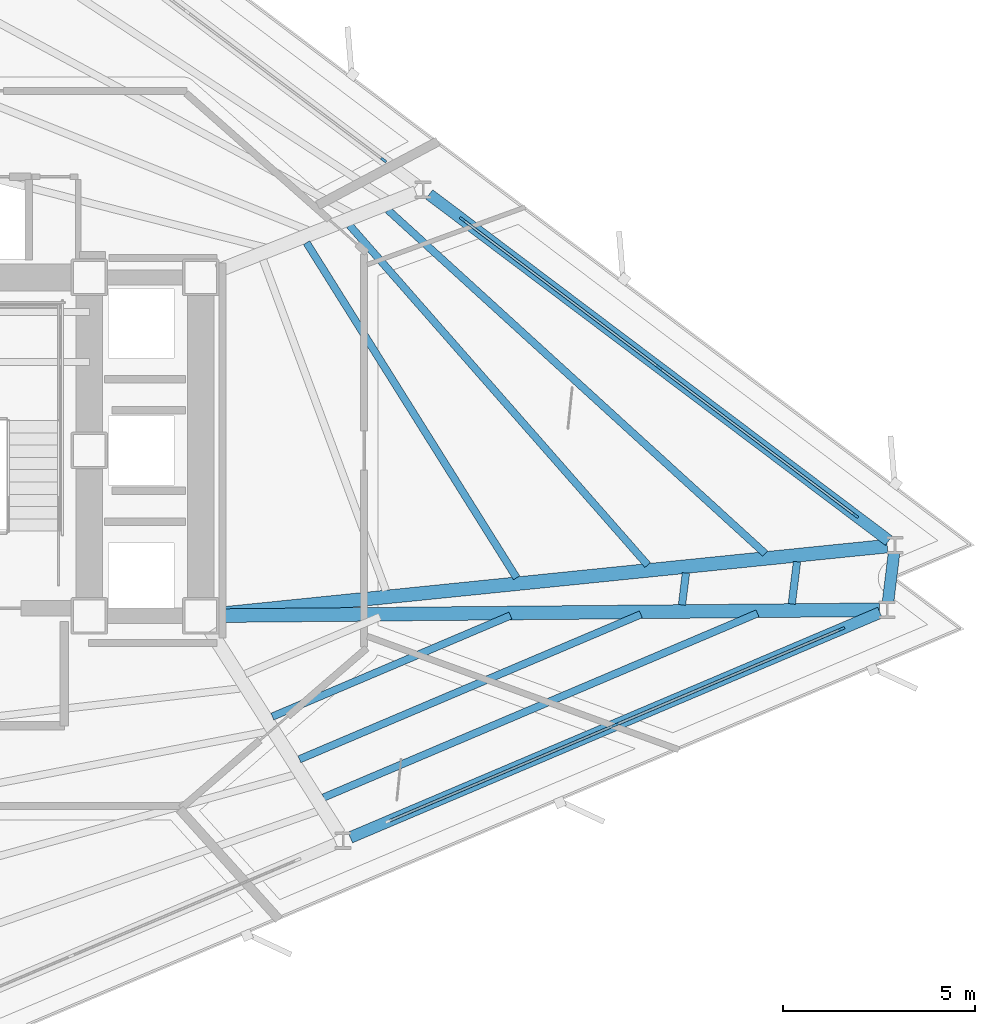
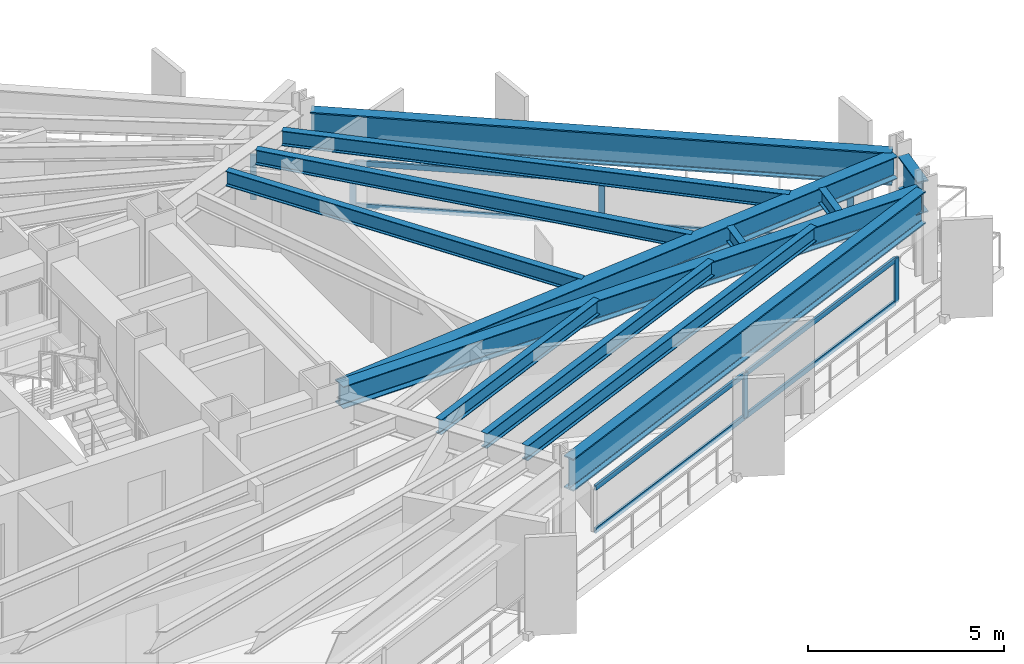
# One storey, part 4 of 13: 14 members, 13 beams, 3 elements without a shape of their own.
"""IFC4 building model written with IfcOpenShell, lengths in metres."""

from ifc_helpers import new_model, si_unit, direction, frame, origin, origin_2d, place, context, subcontext, project, spatial, rectangle, i_section, extrude, material, layer, layer_set, material_profile, profile_set, type_object, element, aggregate, save


model = new_model("IFC4")

# Units and contexts
model_context = context("Model", 3, precision=1e-05, world=origin(), true_north=direction((0.0, 1.0)))
body_context = subcontext(model_context, "Body", "Model", "MODEL_VIEW")
ifc_project = project(units=[si_unit("LENGTHUNIT", "METRE"), si_unit("AREAUNIT", "SQUARE_METRE"), si_unit("VOLUMEUNIT", "CUBIC_METRE"), si_unit("PLANEANGLEUNIT", "RADIAN"), si_unit("MASSUNIT", "GRAM", prefix="KILO")], contexts=[model_context])

# Site, building, storey
site_placement = place(None, origin())
site = spatial("IfcSite", under=ifc_project, at=site_placement, CompositionType="ELEMENT")
building_placement = place(site_placement, origin())
building = spatial("IfcBuilding", under=site, at=building_placement, Name="Rocaltana Carrier Exchange", CompositionType="ELEMENT")
storey_placement = place(building_placement, frame((0.0, 0.0, 73.1201171875)))
storey = spatial("IfcBuildingStorey", under=building, at=storey_placement, Name="L22", CompositionType="ELEMENT", Elevation=73.1201171875)

# Curtain wall, members
ifc_material_1 = material(Name="Aluminium 6063-T6", Category="aluminium")
ifc_layer = layer(ifc_material_1, 0.1650390625)
ifc_layer_set = layer_set([ifc_layer], Name="Aluminium 6063-T6")
curtain_wall_type = type_object("IfcCurtainWallType", Name="Lower-Mid Stepped Curtain Wall CW-02", PredefinedType="NOTDEFINED", material=ifc_layer_set)
curtain_wall_1_placement = place(storey_placement, origin())
curtain_wall_1 = element("IfcCurtainWall", 1, at=curtain_wall_1_placement, inside=storey, type_object=curtain_wall_type, Name="L22 CW-02 Run CW-L22-F1S1", PredefinedType="NOTDEFINED")
ifc_material_2 = material(Name="Aluminium 6063-T6", Category="aluminium")
ifc_material_profile_1 = material_profile(ifc_material_2, rectangle(XDim=0.06494140625, YDim=0.1650390625, at=origin_2d()), Name="AL-65X165")
ifc_profile_set_1 = profile_set([ifc_material_profile_1], Name="Aluminium 6063-T6")
member_type_1 = type_object("IfcMemberType", Name="CW-02 Mullion AL-65X165", PredefinedType="MULLION", material=ifc_profile_set_1)
member_1_placement = place(storey_placement, frame((25.978759765625, -1.69482421875, 0.0), z_axis=(0.0, 0.0, 1.0), x_axis=(-0.601806560833, -0.798641886792, 0.0)))
member_1 = element("IfcMember", 2, at=member_1_placement, type_object=member_type_1, Name="CW-02 mullion 1", PredefinedType="MULLION", context=body_context, shape_type="SweptSolid", body=[
    extrude(rectangle(XDim=0.06494140625, YDim=0.1650390625, at=origin_2d()), origin(), (0.0, 0.0, 1.0), 1.39794921875),
])
member_2_placement = place(storey_placement, frame((20.86669921875, 2.1572265625, 0.0), z_axis=(0.0, 0.0, 1.0), x_axis=(-0.601806560833, -0.798641886792, 0.0)))
member_2 = element("IfcMember", 3, at=member_2_placement, type_object=member_type_1, Name="CW-02 mullion 2", PredefinedType="MULLION", context=body_context, shape_type="SweptSolid", body=[
    extrude(rectangle(XDim=0.06494140625, YDim=0.1650390625, at=origin_2d()), origin(), (0.0, 0.0, 1.0), 1.39794921875),
])
member_3_placement = place(storey_placement, frame((15.754638671875, 6.00927734375, 0.0), z_axis=(0.0, 0.0, 1.0), x_axis=(-0.601806560833, -0.798641886792, 0.0)))
member_3 = element("IfcMember", 4, at=member_3_placement, type_object=member_type_1, Name="CW-02 mullion 3", PredefinedType="MULLION", context=body_context, shape_type="SweptSolid", body=[
    extrude(rectangle(XDim=0.06494140625, YDim=0.1650390625, at=origin_2d()), origin(), (0.0, 0.0, 1.0), 1.39794921875),
])

# Curtain wall, member
curtain_wall_2_placement = place(storey_placement, origin())
curtain_wall_2 = element("IfcCurtainWall", 5, at=curtain_wall_2_placement, inside=storey, type_object=curtain_wall_type, Name="L22 CW-02 Run CW-L22-F1S2", PredefinedType="NOTDEFINED")
member_4_placement = place(storey_placement, frame((13.706298828125, 7.552978515625, 0.0), z_axis=(0.0, 0.0, 1.0), x_axis=(-0.601815253533, -0.798635336443, 0.0)))
member_4 = element("IfcMember", 6, at=member_4_placement, type_object=member_type_1, Name="CW-02 mullion 1", PredefinedType="MULLION", context=body_context, shape_type="SweptSolid", body=[
    extrude(rectangle(XDim=0.06494140625, YDim=0.1650390625, at=origin_2d()), origin(), (0.0, 0.0, 1.0), 1.39794921875),
])
aggregate(curtain_wall_2, [member_4])

# Curtain wall, members
curtain_wall_3_placement = place(storey_placement, origin())
curtain_wall_3 = element("IfcCurtainWall", 7, at=curtain_wall_3_placement, inside=storey, type_object=curtain_wall_type, Name="L22 CW-02 Run CW-L22-F3S3", PredefinedType="NOTDEFINED")
member_5_placement = place(storey_placement, frame((19.72509765625, -7.141357421875, 0.0), z_axis=(0.0, 0.0, 1.0), x_axis=(-0.390735259141, 0.920503100084, 0.0)))
member_5 = element("IfcMember", 8, at=member_5_placement, type_object=member_type_1, Name="CW-02 mullion 2", PredefinedType="MULLION", context=body_context, shape_type="SweptSolid", body=[
    extrude(rectangle(XDim=0.06494140625, YDim=0.1650390625, at=origin_2d()), origin(), (0.0, 0.0, 1.0), 1.39794921875),
])
member_6_placement = place(storey_placement, frame((25.6171875, -4.64013671875, 0.0), z_axis=(0.0, 0.0, 1.0), x_axis=(-0.390735259141, 0.920503100084, 0.0)))
member_6 = element("IfcMember", 9, at=member_6_placement, type_object=member_type_1, Name="CW-02 mullion 3", PredefinedType="MULLION", context=body_context, shape_type="SweptSolid", body=[
    extrude(rectangle(XDim=0.06494140625, YDim=0.1650390625, at=origin_2d()), origin(), (0.0, 0.0, 1.0), 1.39794921875),
])

# Member
ifc_material_3 = material(Name="Aluminium 6063-T6", Category="aluminium")
ifc_material_profile_2 = material_profile(ifc_material_3, rectangle(XDim=0.06494140625, YDim=0.1650390625, at=origin_2d()), Name="AL-65X165")
ifc_profile_set_2 = profile_set([ifc_material_profile_2], Name="Aluminium 6063-T6")
member_type_2 = type_object("IfcMemberType", Name="CW-02 Transom AL-65X165", PredefinedType="USERDEFINED", material=ifc_profile_set_2)
member_7_placement = place(storey_placement, frame((25.95263671875, -1.67529296875, 0.032470703125), z_axis=(-0.798638496284, 0.601811060261, 0.0), x_axis=(-0.601811060261, -0.798638496284, 0.0)))
member_7 = element("IfcMember", 10, at=member_7_placement, type_object=member_type_2, Name="CW-02 transom 1.1", ObjectType="TRANSOM", PredefinedType="USERDEFINED", context=body_context, shape_type="SweptSolid", body=[
    extrude(rectangle(XDim=0.06494140625, YDim=0.1650390625, at=origin_2d()), origin(), (0.0, 0.0, 1.0), 6.3359375),
])

member_8_placement = place(storey_placement, frame((25.95263671875, -1.67529296875, 1.365478515625), z_axis=(-0.798638496284, 0.601811060261, 0.0), x_axis=(-0.601811060261, -0.798638496284, 0.0)))
member_8 = element("IfcMember", 11, at=member_8_placement, type_object=member_type_2, Name="CW-02 transom 1.2", ObjectType="TRANSOM", PredefinedType="USERDEFINED", context=body_context, shape_type="SweptSolid", body=[
    extrude(rectangle(XDim=0.06494140625, YDim=0.1650390625, at=origin_2d()), origin(), (0.0, 0.0, 1.0), 6.3359375),
])

member_9_placement = place(storey_placement, frame((20.8408203125, 2.1767578125, 0.032470703125), z_axis=(-0.798638496284, 0.601811060261, 0.0), x_axis=(-0.601811060261, -0.798638496284, 0.0)))
member_9 = element("IfcMember", 12, at=member_9_placement, type_object=member_type_2, Name="CW-02 transom 2.1", ObjectType="TRANSOM", PredefinedType="USERDEFINED", context=body_context, shape_type="SweptSolid", body=[
    extrude(rectangle(XDim=0.06494140625, YDim=0.1650390625, at=origin_2d()), origin(), (0.0, 0.0, 1.0), 6.3359375),
])

member_10_placement = place(storey_placement, frame((20.8408203125, 2.1767578125, 1.365478515625), z_axis=(-0.798638496284, 0.601811060261, 0.0), x_axis=(-0.601811060261, -0.798638496284, 0.0)))
member_10 = element("IfcMember", 13, at=member_10_placement, type_object=member_type_2, Name="CW-02 transom 2.2", ObjectType="TRANSOM", PredefinedType="USERDEFINED", context=body_context, shape_type="SweptSolid", body=[
    extrude(rectangle(XDim=0.06494140625, YDim=0.1650390625, at=origin_2d()), origin(), (0.0, 0.0, 1.0), 6.3359375),
])

aggregate(curtain_wall_1, [member_1, member_2, member_3, member_7, member_8, member_9, member_10])

member_11_placement = place(storey_placement, frame((13.863037109375, -9.629638671875, 0.032470703125), z_axis=(0.920502835622, 0.390735882167, 0.0), x_axis=(-0.390735882167, 0.920502835622, 0.0)))
member_11 = element("IfcMember", 14, at=member_11_placement, type_object=member_type_2, Name="CW-02 transom 1.1", ObjectType="TRANSOM", PredefinedType="USERDEFINED", context=body_context, shape_type="SweptSolid", body=[
    extrude(rectangle(XDim=0.06494140625, YDim=0.1650390625, at=origin_2d()), origin(), (0.0, 0.0, 1.0), 6.335693359375),
])

member_12_placement = place(storey_placement, frame((13.863037109375, -9.629638671875, 1.365478515625), z_axis=(0.920502835622, 0.390735882167, 0.0), x_axis=(-0.390735882167, 0.920502835622, 0.0)))
member_12 = element("IfcMember", 15, at=member_12_placement, type_object=member_type_2, Name="CW-02 transom 1.2", ObjectType="TRANSOM", PredefinedType="USERDEFINED", context=body_context, shape_type="SweptSolid", body=[
    extrude(rectangle(XDim=0.06494140625, YDim=0.1650390625, at=origin_2d()), origin(), (0.0, 0.0, 1.0), 6.335693359375),
])

member_13_placement = place(storey_placement, frame((19.7548828125, -7.128662109375, 0.032470703125), z_axis=(0.920494859312, 0.390754672372, 0.0), x_axis=(-0.390754672372, 0.920494859312, 0.0)))
member_13 = element("IfcMember", 16, at=member_13_placement, type_object=member_type_2, Name="CW-02 transom 2.1", ObjectType="TRANSOM", PredefinedType="USERDEFINED", context=body_context, shape_type="SweptSolid", body=[
    extrude(rectangle(XDim=0.06494140625, YDim=0.1650390625, at=origin_2d()), origin(), (0.0, 0.0, 1.0), 6.3359375),
])

member_14_placement = place(storey_placement, frame((19.7548828125, -7.128662109375, 1.365478515625), z_axis=(0.920494859312, 0.390754672372, 0.0), x_axis=(-0.390754672372, 0.920494859312, 0.0)))
member_14 = element("IfcMember", 17, at=member_14_placement, type_object=member_type_2, Name="CW-02 transom 2.2", ObjectType="TRANSOM", PredefinedType="USERDEFINED", context=body_context, shape_type="SweptSolid", body=[
    extrude(rectangle(XDim=0.06494140625, YDim=0.1650390625, at=origin_2d()), origin(), (0.0, 0.0, 1.0), 6.3359375),
])

aggregate(curtain_wall_3, [member_5, member_6, member_11, member_12, member_13, member_14])

# Beams
ifc_material_4 = material(Name="Steel S355", Category="steel")
ifc_material_profile_3 = material_profile(ifc_material_4, i_section(OverallWidth=0.193115234375, OverallDepth=0.466064453125, WebThickness=0.011474609375, FlangeThickness=0.01904296875, FilletRadius=0.013916015625, at=origin_2d()), Name="W18X65")
ifc_profile_set_3 = profile_set([ifc_material_profile_3], Name="Steel S355")
beam_type_1 = type_object("IfcBeamType", Name="Floor Joist W18X65", PredefinedType="JOIST", material=ifc_profile_set_3)
beam_1_placement = place(storey_placement, frame((17.1630859375, -3.311279296875, 2.704833984375), z_axis=(-0.531103653512, 0.847306856591, 0.0), x_axis=(-0.847306856591, -0.531103653512, 0.0)))
element("IfcBeam", 18, at=beam_1_placement, inside=storey, type_object=beam_type_1, Name="FJ-L22-01-2", PredefinedType="JOIST", context=body_context, shape_type="SweptSolid", body=[
    extrude(i_section(OverallWidth=0.193115234375, OverallDepth=0.466064453125, WebThickness=0.011474609375, FlangeThickness=0.01904296875, FilletRadius=0.013916015625, at=origin_2d()), origin(), (0.0, 0.0, 1.0), 10.285888671875),
])
beam_2_placement = place(storey_placement, frame((20.5712890625, -2.9794921875, 2.704833984375), z_axis=(-0.659558512546, 0.751653223587, 0.0), x_axis=(-0.751653223587, -0.659558512546, 0.0)))
element("IfcBeam", 19, at=beam_2_placement, inside=storey, type_object=beam_type_1, Name="FJ-L22-01-3", PredefinedType="JOIST", context=body_context, shape_type="SweptSolid", body=[
    extrude(i_section(OverallWidth=0.193115234375, OverallDepth=0.466064453125, WebThickness=0.011474609375, FlangeThickness=0.01904296875, FilletRadius=0.013916015625, at=origin_2d()), origin(), (0.0, 0.0, 1.0), 11.751708984375),
])
beam_3_placement = place(storey_placement, frame((23.626708984375, -2.68115234375, 2.704833984375), z_axis=(-0.739263706451, 0.673416046976, 0.0), x_axis=(-0.673416046976, -0.739263706451, 0.0)))
element("IfcBeam", 20, at=beam_3_placement, inside=storey, type_object=beam_type_1, Name="FJ-L22-01-4", PredefinedType="JOIST", context=body_context, shape_type="SweptSolid", body=[
    extrude(i_section(OverallWidth=0.193115234375, OverallDepth=0.466064453125, WebThickness=0.011474609375, FlangeThickness=0.01904296875, FilletRadius=0.013916015625, at=origin_2d()), origin(), (0.0, 0.0, 1.0), 13.269775390625),
])
beam_4_placement = place(storey_placement, frame((10.81103515625, -6.9208984375, 2.704833984375), z_axis=(0.920502665094, 0.390736283898, 0.0), x_axis=(-0.390736283898, 0.920502665094, 0.0)))
element("IfcBeam", 21, at=beam_4_placement, inside=storey, type_object=beam_type_1, Name="FJ-L22-11-2", PredefinedType="JOIST", context=body_context, shape_type="SweptSolid", body=[
    extrude(i_section(OverallWidth=0.193115234375, OverallDepth=0.466064453125, WebThickness=0.011474609375, FlangeThickness=0.01904296875, FilletRadius=0.013916015625, at=origin_2d()), origin(), (0.0, 0.0, 1.0), 6.7255859375),
])
beam_5_placement = place(storey_placement, frame((11.514404296875, -8.03125, 2.704833984375), z_axis=(0.920503721311, 0.390733795636, 0.0), x_axis=(-0.390733795636, 0.920503721311, 0.0)))
element("IfcBeam", 22, at=beam_5_placement, inside=storey, type_object=beam_type_1, Name="FJ-L22-11-3", PredefinedType="JOIST", context=body_context, shape_type="SweptSolid", body=[
    extrude(i_section(OverallWidth=0.193115234375, OverallDepth=0.466064453125, WebThickness=0.011474609375, FlangeThickness=0.01904296875, FilletRadius=0.013916015625, at=origin_2d()), origin(), (0.0, 0.0, 1.0), 9.6455078125),
])
beam_6_placement = place(storey_placement, frame((12.143798828125, -9.024658203125, 2.704833984375), z_axis=(0.920504513762, 0.390731928749, 0.0), x_axis=(-0.390731928749, 0.920504513762, 0.0)))
element("IfcBeam", 23, at=beam_6_placement, inside=storey, type_object=beam_type_1, Name="FJ-L22-11-4", PredefinedType="JOIST", context=body_context, shape_type="SweptSolid", body=[
    extrude(i_section(OverallWidth=0.193115234375, OverallDepth=0.466064453125, WebThickness=0.011474609375, FlangeThickness=0.01904296875, FilletRadius=0.013916015625, at=origin_2d()), origin(), (0.0, 0.0, 1.0), 12.2578125),
])
beam_7_placement = place(storey_placement, frame((21.464111328125, -4.01708984375, 2.704833984375), z_axis=(0.122022478493, 0.992527337025, 0.0), x_axis=(-0.992527337025, 0.122022478493, 0.0)))
element("IfcBeam", 24, at=beam_7_placement, inside=storey, type_object=beam_type_1, Name="FJ-L22-12-3", PredefinedType="JOIST", context=body_context, shape_type="SweptSolid", body=[
    extrude(i_section(OverallWidth=0.193115234375, OverallDepth=0.466064453125, WebThickness=0.011474609375, FlangeThickness=0.01904296875, FilletRadius=0.013916015625, at=origin_2d()), origin(), (0.0, 0.0, 1.0), 0.83642578125),
])
beam_8_placement = place(storey_placement, frame((24.31982421875, -3.991455078125, 2.704833984375), z_axis=(0.121834081675, 0.992550480602, 0.0), x_axis=(-0.992550480602, 0.121834081675, 0.0)))
element("IfcBeam", 25, at=beam_8_placement, inside=storey, type_object=beam_type_1, Name="FJ-L22-12-4", PredefinedType="JOIST", context=body_context, shape_type="SweptSolid", body=[
    extrude(i_section(OverallWidth=0.193115234375, OverallDepth=0.466064453125, WebThickness=0.011474609375, FlangeThickness=0.01904296875, FilletRadius=0.013916015625, at=origin_2d()), origin(), (0.0, 0.0, 1.0), 1.106201171875),
])
ifc_material_5 = material(Name="Steel S355", Category="steel")
ifc_material_profile_4 = material_profile(ifc_material_5, i_section(OverallWidth=0.35498046875, OverallDepth=0.695068359375, WebThickness=0.015380859375, FlangeThickness=0.02490234375, FilletRadius=0.01806640625, at=origin_2d()), Name="W27X146")
ifc_profile_set_4 = profile_set([ifc_material_profile_4], Name="Steel S355")
beam_type_2 = type_object("IfcBeamType", Name="Radial Girder W27X146", PredefinedType="BEAM", material=ifc_profile_set_4)
beam_9_placement = place(storey_placement, frame((9.41455078125, -4.252685546875, 2.59033203125), z_axis=(0.994884315386, 0.101020784983, 0.0), x_axis=(-0.101020784983, 0.994884315386, 0.0)))
element("IfcBeam", 26, at=beam_9_placement, inside=storey, type_object=beam_type_2, Name="RG-L22-01", PredefinedType="BEAM", context=body_context, shape_type="SweptSolid", body=[
    extrude(i_section(OverallWidth=0.35498046875, OverallDepth=0.695068359375, WebThickness=0.015380859375, FlangeThickness=0.02490234375, FilletRadius=0.01806640625, at=origin_2d()), origin(), (0.0, 0.0, 1.0), 17.477783203125),
])
beam_10_placement = place(storey_placement, frame((9.4169921875, -4.2958984375, 2.59033203125), z_axis=(0.999959286305, 0.009023620777, 0.0), x_axis=(-0.009023620777, 0.999959286305, 0.0)))
element("IfcBeam", 27, at=beam_10_placement, inside=storey, type_object=beam_type_2, Name="RG-L22-12", PredefinedType="BEAM", context=body_context, shape_type="SweptSolid", body=[
    extrude(i_section(OverallWidth=0.35498046875, OverallDepth=0.695068359375, WebThickness=0.015380859375, FlangeThickness=0.02490234375, FilletRadius=0.01806640625, at=origin_2d()), origin(), (0.0, 0.0, 1.0), 17.180419921875),
])
ifc_material_6 = material(Name="Steel S460", Category="steel")
ifc_material_profile_5 = material_profile(ifc_material_6, i_section(OverallWidth=0.302001953125, OverallDepth=1.008056640625, WebThickness=0.02099609375, FlangeThickness=0.0400390625, FilletRadius=0.030029296875, at=origin_2d()), Name="HEM1000")
ifc_profile_set_5 = profile_set([ifc_material_profile_5], Name="Steel S460")
beam_type_3 = type_object("IfcBeamType", Name="Transfer Ring Girder HEM1000", PredefinedType="USERDEFINED", material=ifc_profile_set_5)
beam_11_placement = place(storey_placement, frame((26.84228515625, -2.345703125, 2.433837890625), z_axis=(-0.798635336445, 0.60181525353, 0.0), x_axis=(-0.60181525353, -0.798635336445, 0.0)))
element("IfcBeam", 28, at=beam_11_placement, inside=storey, type_object=beam_type_3, Name="SP-L22-01", ObjectType="TRANSFER GIRDER", PredefinedType="USERDEFINED", context=body_context, shape_type="SweptSolid", body=[
    extrude(i_section(OverallWidth=0.302001953125, OverallDepth=1.008056640625, WebThickness=0.02099609375, FlangeThickness=0.0400390625, FilletRadius=0.030029296875, at=origin_2d()), origin(), (0.0, 0.0, 1.0), 14.964599609375),
])
beam_12_placement = place(storey_placement, frame((12.83740234375, -10.06494140625, 2.433837890625), z_axis=(0.920499822103, 0.390742981394, 0.0), x_axis=(-0.390742981394, 0.920499822103, 0.0)))
element("IfcBeam", 29, at=beam_12_placement, inside=storey, type_object=beam_type_3, Name="SP-L22-11", ObjectType="TRANSFER GIRDER", PredefinedType="USERDEFINED", context=body_context, shape_type="SweptSolid", body=[
    extrude(i_section(OverallWidth=0.302001953125, OverallDepth=1.008056640625, WebThickness=0.02099609375, FlangeThickness=0.0400390625, FilletRadius=0.030029296875, at=origin_2d()), origin(), (0.0, 0.0, 1.0), 14.96484375),
])
beam_13_placement = place(storey_placement, frame((26.822021484375, -3.939697265625, 2.433837890625), z_axis=(0.121973520022, 0.992533354812, 0.0), x_axis=(-0.992533354812, 0.121973520022, 0.0)))
element("IfcBeam", 30, at=beam_13_placement, inside=storey, type_object=beam_type_3, Name="SP-L22-12", ObjectType="TRANSFER GIRDER", PredefinedType="USERDEFINED", context=body_context, shape_type="SweptSolid", body=[
    extrude(i_section(OverallWidth=0.302001953125, OverallDepth=1.008056640625, WebThickness=0.02099609375, FlangeThickness=0.0400390625, FilletRadius=0.030029296875, at=origin_2d()), origin(), (0.0, 0.0, 1.0), 1.282958984375),
])

save(model, "model.ifc")
